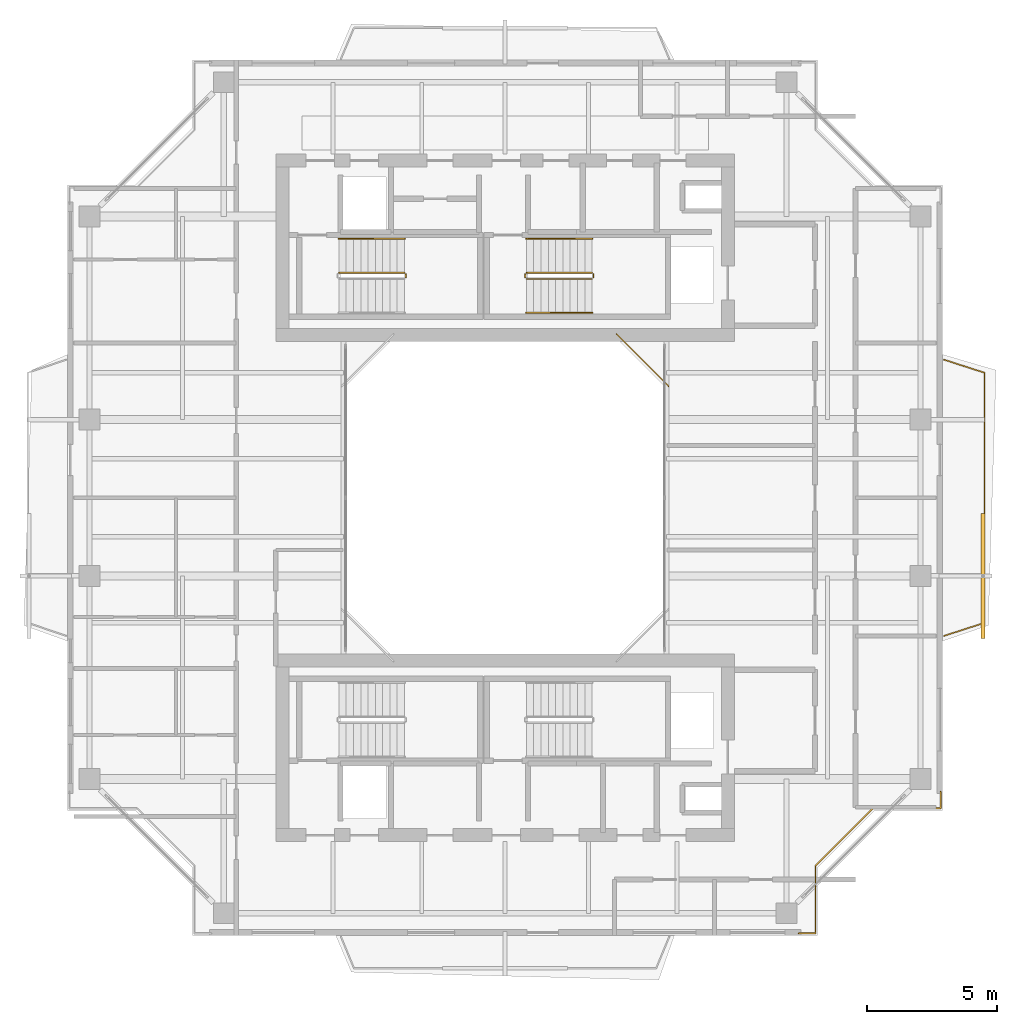
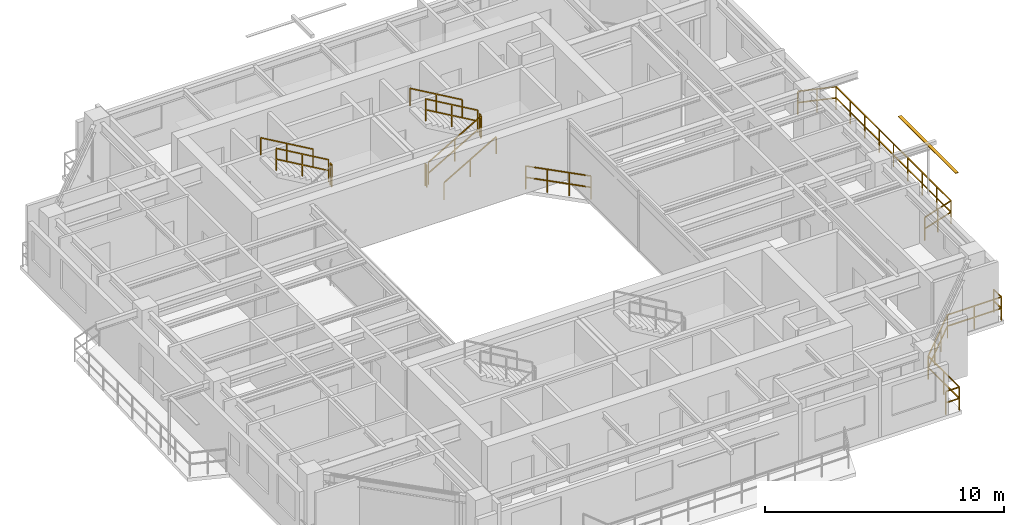
# One storey, part 15 of 16: 12 railings, 1 shading device.
"""IFC4 building model written with IfcOpenShell, lengths in metres."""

from ifc_helpers import new_model, si_unit, direction, frame, origin, origin_2d, place, context, subcontext, project, spatial, rectangle, extrude, source, transform, mapped, material, material_profile, profile_set, type_object, element, save


model = new_model("IFC4")

# Units and contexts
model_context = context("Model", 3, precision=1e-05, world=origin(), true_north=direction((0.0, 1.0)))
body_context = subcontext(model_context, "Body", "Model", "MODEL_VIEW")
ifc_project = project(units=[si_unit("LENGTHUNIT", "METRE"), si_unit("AREAUNIT", "SQUARE_METRE"), si_unit("VOLUMEUNIT", "CUBIC_METRE"), si_unit("PLANEANGLEUNIT", "RADIAN"), si_unit("MASSUNIT", "GRAM", prefix="KILO"), si_unit("THERMODYNAMICTEMPERATUREUNIT", "KELVIN"), si_unit("POWERUNIT", "WATT")], contexts=[model_context])

# Site, building, storey
site_placement = place(None, origin())
site = spatial("IfcSite", under=ifc_project, at=site_placement, CompositionType="ELEMENT")
building_placement = place(site_placement, origin())
building = spatial("IfcBuilding", under=site, at=building_placement, Name="Qiaomeng Ring Towers", CompositionType="ELEMENT")
storey_placement = place(building_placement, frame((0.0, 0.0, 210.0)))
storey = spatial("IfcBuildingStorey", under=building, at=storey_placement, Name="L61", CompositionType="ELEMENT", Elevation=210.0)

# Railings
ifc_material_1 = material(Name="Low-E pale-green laminated safety glass", Category="glass")
railing_type_1 = type_object("IfcRailingType", Name="ARC-RL-BAL1", PredefinedType="BALUSTRADE", material=ifc_material_1)
railing_1_placement = place(storey_placement, frame((25.280029296875, 27.280029296875, 0.0)))
element("IfcRailing", 1, at=railing_1_placement, inside=storey, type_object=railing_type_1, Name="L61 Balustrade ARC-BAL-WELL1-L61-2", PredefinedType="BALUSTRADE", context=body_context, shape_type="SweptSolid", body=[
    extrude(rectangle(XDim=0.048095703125, YDim=0.048095703125, at=origin_2d()), frame((0.0, 0.0, 1.17578125), z_axis=(-0.707106781187, 0.707106781187, 0.0), x_axis=(-0.707106781187, -0.707106781187, 0.0)), (0.0, 0.0, 1.0), 2.828369140625),
    extrude(rectangle(XDim=0.048095703125, YDim=0.048095703125, at=origin_2d()), frame((0.0, 0.0, 0.60009765625), z_axis=(-0.707106781187, 0.707106781187, 0.0), x_axis=(-0.707106781187, -0.707106781187, 0.0)), (0.0, 0.0, 1.0), 2.828369140625),
    extrude(rectangle(XDim=0.0419921875, YDim=0.0419921875, at=origin_2d()), origin(), (0.0, 0.0, 1.0), 1.15185546875),
    extrude(rectangle(XDim=0.0419921875, YDim=0.0419921875, at=origin_2d()), frame((-0.666748046875, 0.666748046875, 0.0)), (0.0, 0.0, 1.0), 1.15185546875),
    extrude(rectangle(XDim=0.0419921875, YDim=0.0419921875, at=origin_2d()), frame((-1.333251953125, 1.333251953125, 0.0)), (0.0, 0.0, 1.0), 1.15185546875),
    extrude(rectangle(XDim=0.0419921875, YDim=0.0419921875, at=origin_2d()), frame((-2.0, 2.0, 0.0)), (0.0, 0.0, 1.0), 1.15185546875),
])
railing_2_placement = place(storey_placement, frame((30.27001953125, 6.280029296875, 0.0)))
element("IfcRailing", 2, at=railing_2_placement, inside=storey, type_object=railing_type_1, Name="L61 Balustrade ARC-BAL-NOTCH1-L61-SE", PredefinedType="BALUSTRADE", context=body_context, shape_type="SweptSolid", body=[
    extrude(rectangle(XDim=0.048095703125, YDim=0.048095703125, at=origin_2d()), frame((0.0, 0.0, 1.17578125), z_axis=(1.0, 0.0, 0.0), x_axis=(0.0, 1.0, 0.0)), (0.0, 0.0, 1.0), 0.64990234375),
    extrude(rectangle(XDim=0.048095703125, YDim=0.048095703125, at=origin_2d()), frame((0.0, 0.0, 0.60009765625), z_axis=(1.0, 0.0, 0.0), x_axis=(0.0, 1.0, 0.0)), (0.0, 0.0, 1.0), 0.64990234375),
    extrude(rectangle(XDim=0.048095703125, YDim=0.048095703125, at=origin_2d()), frame((0.64990234375, 0.0, 1.17578125), z_axis=(0.0, 1.0, 0.0), x_axis=(-1.0, 0.0, 0.0)), (0.0, 0.0, 1.0), 2.599853515625),
    extrude(rectangle(XDim=0.048095703125, YDim=0.048095703125, at=origin_2d()), frame((0.64990234375, 0.0, 0.60009765625), z_axis=(0.0, 1.0, 0.0), x_axis=(-1.0, 0.0, 0.0)), (0.0, 0.0, 1.0), 2.599853515625),
    extrude(rectangle(XDim=0.048095703125, YDim=0.048095703125, at=origin_2d()), frame((0.64990234375, 2.599853515625, 1.17578125), z_axis=(0.707106781187, 0.707106781187, 0.0), x_axis=(-0.707106781187, 0.707106781187, 0.0)), (0.0, 0.0, 1.0), 3.111572265625),
    extrude(rectangle(XDim=0.048095703125, YDim=0.048095703125, at=origin_2d()), frame((0.64990234375, 2.599853515625, 0.60009765625), z_axis=(0.707106781187, 0.707106781187, 0.0), x_axis=(-0.707106781187, 0.707106781187, 0.0)), (0.0, 0.0, 1.0), 3.111572265625),
    extrude(rectangle(XDim=0.048095703125, YDim=0.048095703125, at=origin_2d()), frame((2.85009765625, 4.800048828125, 1.17578125), z_axis=(1.0, 0.0, 0.0), x_axis=(0.0, 1.0, 0.0)), (0.0, 0.0, 1.0), 2.599853515625),
    extrude(rectangle(XDim=0.048095703125, YDim=0.048095703125, at=origin_2d()), frame((2.85009765625, 4.800048828125, 0.60009765625), z_axis=(1.0, 0.0, 0.0), x_axis=(0.0, 1.0, 0.0)), (0.0, 0.0, 1.0), 2.599853515625),
    extrude(rectangle(XDim=0.048095703125, YDim=0.048095703125, at=origin_2d()), frame((5.449951171875, 4.800048828125, 1.17578125), z_axis=(0.0, 1.0, 0.0), x_axis=(-1.0, 0.0, 0.0)), (0.0, 0.0, 1.0), 0.64990234375),
    extrude(rectangle(XDim=0.048095703125, YDim=0.048095703125, at=origin_2d()), frame((5.449951171875, 4.800048828125, 0.60009765625), z_axis=(0.0, 1.0, 0.0), x_axis=(-1.0, 0.0, 0.0)), (0.0, 0.0, 1.0), 0.64990234375),
    extrude(rectangle(XDim=0.0419921875, YDim=0.0419921875, at=origin_2d()), origin(), (0.0, 0.0, 1.0), 1.15185546875),
    extrude(rectangle(XDim=0.0419921875, YDim=0.0419921875, at=origin_2d()), frame((0.64990234375, 0.0, 0.0)), (0.0, 0.0, 1.0), 1.15185546875),
    extrude(rectangle(XDim=0.0419921875, YDim=0.0419921875, at=origin_2d()), frame((0.64990234375, 1.2998046875, 0.0)), (0.0, 0.0, 1.0), 1.15185546875),
    extrude(rectangle(XDim=0.0419921875, YDim=0.0419921875, at=origin_2d()), frame((0.64990234375, 2.599853515625, 0.0)), (0.0, 0.0, 1.0), 1.15185546875),
    extrude(rectangle(XDim=0.0419921875, YDim=0.0419921875, at=origin_2d()), frame((1.38330078125, 3.333251953125, 0.0)), (0.0, 0.0, 1.0), 1.15185546875),
    extrude(rectangle(XDim=0.0419921875, YDim=0.0419921875, at=origin_2d()), frame((2.11669921875, 4.066650390625, 0.0)), (0.0, 0.0, 1.0), 1.15185546875),
    extrude(rectangle(XDim=0.0419921875, YDim=0.0419921875, at=origin_2d()), frame((2.85009765625, 4.800048828125, 0.0)), (0.0, 0.0, 1.0), 1.15185546875),
    extrude(rectangle(XDim=0.0419921875, YDim=0.0419921875, at=origin_2d()), frame((4.14990234375, 4.800048828125, 0.0)), (0.0, 0.0, 1.0), 1.15185546875),
    extrude(rectangle(XDim=0.0419921875, YDim=0.0419921875, at=origin_2d()), frame((5.449951171875, 4.800048828125, 0.0)), (0.0, 0.0, 1.0), 1.15185546875),
    extrude(rectangle(XDim=0.0419921875, YDim=0.0419921875, at=origin_2d()), frame((5.449951171875, 5.449951171875, 0.0)), (0.0, 0.0, 1.0), 1.15185546875),
])
railing_3_placement = place(storey_placement, frame((35.85009765625, 17.699951171875, 0.0)))
element("IfcRailing", 3, at=railing_3_placement, inside=storey, type_object=railing_type_1, Name="L61 Balustrade ARC-BAL-L61-T1-E", PredefinedType="BALUSTRADE", context=body_context, shape_type="SweptSolid", body=[
    extrude(rectangle(XDim=0.048095703125, YDim=0.048095703125, at=origin_2d()), frame((0.0, 0.0, 1.17578125), z_axis=(0.951697313001, 0.307037822468, 0.0), x_axis=(-0.307037822468, 0.951697313001, 0.0)), (0.0, 0.0, 1.0), 1.62841796875),
    extrude(rectangle(XDim=0.048095703125, YDim=0.048095703125, at=origin_2d()), frame((0.0, 0.0, 0.60009765625), z_axis=(0.951697313001, 0.307037822468, 0.0), x_axis=(-0.307037822468, 0.951697313001, 0.0)), (0.0, 0.0, 1.0), 1.62841796875),
    extrude(rectangle(XDim=0.048095703125, YDim=0.048095703125, at=origin_2d()), frame((1.5498046875, 0.5, 1.17578125), z_axis=(0.0, 1.0, 0.0), x_axis=(-1.0, 0.0, 0.0)), (0.0, 0.0, 1.0), 9.60009765625),
    extrude(rectangle(XDim=0.048095703125, YDim=0.048095703125, at=origin_2d()), frame((1.5498046875, 0.5, 0.60009765625), z_axis=(0.0, 1.0, 0.0), x_axis=(-1.0, 0.0, 0.0)), (0.0, 0.0, 1.0), 9.60009765625),
    extrude(rectangle(XDim=0.048095703125, YDim=0.048095703125, at=origin_2d()), frame((1.5498046875, 10.10009765625, 1.17578125), z_axis=(-0.951697313001, 0.307037822468, 0.0), x_axis=(-0.307037822468, -0.951697313001, 0.0)), (0.0, 0.0, 1.0), 1.62841796875),
    extrude(rectangle(XDim=0.048095703125, YDim=0.048095703125, at=origin_2d()), frame((1.5498046875, 10.10009765625, 0.60009765625), z_axis=(-0.951697313001, 0.307037822468, 0.0), x_axis=(-0.307037822468, -0.951697313001, 0.0)), (0.0, 0.0, 1.0), 1.62841796875),
    extrude(rectangle(XDim=0.0419921875, YDim=0.0419921875, at=origin_2d()), origin(), (0.0, 0.0, 1.0), 1.15185546875),
    extrude(rectangle(XDim=0.0419921875, YDim=0.0419921875, at=origin_2d()), frame((0.77490234375, 0.25, 0.0)), (0.0, 0.0, 1.0), 1.15185546875),
    extrude(rectangle(XDim=0.0419921875, YDim=0.0419921875, at=origin_2d()), frame((1.5498046875, 0.5, 0.0)), (0.0, 0.0, 1.0), 1.15185546875),
    extrude(rectangle(XDim=0.0419921875, YDim=0.0419921875, at=origin_2d()), frame((1.5498046875, 1.699951171875, 0.0)), (0.0, 0.0, 1.0), 1.15185546875),
    extrude(rectangle(XDim=0.0419921875, YDim=0.0419921875, at=origin_2d()), frame((1.5498046875, 2.89990234375, 0.0)), (0.0, 0.0, 1.0), 1.15185546875),
    extrude(rectangle(XDim=0.0419921875, YDim=0.0419921875, at=origin_2d()), frame((1.5498046875, 4.10009765625, 0.0)), (0.0, 0.0, 1.0), 1.15185546875),
    extrude(rectangle(XDim=0.0419921875, YDim=0.0419921875, at=origin_2d()), frame((1.5498046875, 5.300048828125, 0.0)), (0.0, 0.0, 1.0), 1.15185546875),
    extrude(rectangle(XDim=0.0419921875, YDim=0.0419921875, at=origin_2d()), frame((1.5498046875, 6.5, 0.0)), (0.0, 0.0, 1.0), 1.15185546875),
    extrude(rectangle(XDim=0.0419921875, YDim=0.0419921875, at=origin_2d()), frame((1.5498046875, 7.7001953125, 0.0)), (0.0, 0.0, 1.0), 1.15185546875),
    extrude(rectangle(XDim=0.0419921875, YDim=0.0419921875, at=origin_2d()), frame((1.5498046875, 8.900146484375, 0.0)), (0.0, 0.0, 1.0), 1.15185546875),
    extrude(rectangle(XDim=0.0419921875, YDim=0.0419921875, at=origin_2d()), frame((1.5498046875, 10.10009765625, 0.0)), (0.0, 0.0, 1.0), 1.15185546875),
    extrude(rectangle(XDim=0.0419921875, YDim=0.0419921875, at=origin_2d()), frame((0.77490234375, 10.35009765625, 0.0)), (0.0, 0.0, 1.0), 1.15185546875),
    extrude(rectangle(XDim=0.0419921875, YDim=0.0419921875, at=origin_2d()), frame((0.0, 10.60009765625, 0.0)), (0.0, 0.0, 1.0), 1.15185546875),
])
ifc_material_2 = material(Name="Galvanised steel", Category="steel")
railing_type_2 = type_object("IfcRailingType", Name="ARC-RL-GUARD", PredefinedType="GUARDRAIL", material=ifc_material_2)
railing_4_placement = place(storey_placement, frame((15.18994140625, 31.449951171875, 1.625)))
element("IfcRailing", 4, at=railing_4_placement, inside=storey, type_object=railing_type_2, Name="L61 ST1 stair guard 2", PredefinedType="GUARDRAIL", context=body_context, shape_type="SweptSolid", body=[
    extrude(rectangle(XDim=0.048095703125, YDim=0.048095703125, at=origin_2d()), frame((0.0, 0.0, 1.1259765625), z_axis=(0.0, 1.0, 0.0), x_axis=(-1.0, 0.0, 0.0)), (0.0, 0.0, 1.0), 0.14013671875),
    extrude(rectangle(XDim=0.048095703125, YDim=0.048095703125, at=origin_2d()), frame((0.0, 0.0, 0.574951171875), z_axis=(0.0, 1.0, 0.0), x_axis=(-1.0, 0.0, 0.0)), (0.0, 0.0, 1.0), 0.14013671875),
    extrude(rectangle(XDim=0.0419921875, YDim=0.0419921875, at=origin_2d()), origin(), (0.0, 0.0, 1.0), 1.101806640625),
    extrude(rectangle(XDim=0.0419921875, YDim=0.0419921875, at=origin_2d()), frame((0.0, 0.14013671875, 0.0)), (0.0, 0.0, 1.0), 1.101806640625),
])
railing_5_placement = place(storey_placement, frame((15.139892578125, 31.639892578125, 1.78759765625)))
element("IfcRailing", 5, at=railing_5_placement, inside=storey, type_object=railing_type_2, Name="L61 ST1 stair guard 3", PredefinedType="GUARDRAIL", context=body_context, shape_type="SweptSolid", body=[
    extrude(rectangle(XDim=0.048095703125, YDim=0.048095703125, at=origin_2d()), frame((0.0, 0.0, 1.1259765625), z_axis=(-0.864892226395, 0.0, 0.501957604506), x_axis=(0.0, -1.0, 0.0)), (0.0, 0.0, 1.0), 2.913330078125),
    extrude(rectangle(XDim=0.048095703125, YDim=0.048095703125, at=origin_2d()), frame((0.0, 0.0, 0.574951171875), z_axis=(-0.864892226395, 0.0, 0.501957604506), x_axis=(0.0, -1.0, 0.0)), (0.0, 0.0, 1.0), 2.913330078125),
    extrude(rectangle(XDim=0.0419921875, YDim=0.0419921875, at=origin_2d()), origin(), (0.0, 0.0, 1.0), 1.101806640625),
    extrude(rectangle(XDim=0.0419921875, YDim=0.0419921875, at=origin_2d()), frame((-1.259765625, 0.0, 0.731201171875)), (0.0, 0.0, 1.0), 1.101806640625),
    extrude(rectangle(XDim=0.0419921875, YDim=0.0419921875, at=origin_2d()), frame((-2.519775390625, 0.0, 1.46240234375)), (0.0, 0.0, 1.0), 1.101806640625),
])
railing_6_placement = place(storey_placement, frame((19.820068359375, 31.39990234375, 0.16259765625)))
element("IfcRailing", 6, at=railing_6_placement, inside=storey, type_object=railing_type_2, Name="L61 ST2 stair guard 1", PredefinedType="GUARDRAIL", context=body_context, shape_type="SweptSolid", body=[
    extrude(rectangle(XDim=0.048095703125, YDim=0.048095703125, at=origin_2d()), frame((0.0, 0.0, 1.1259765625), z_axis=(0.864913338283, 0.0, 0.50192122615), x_axis=(0.0, 1.0, 0.0)), (0.0, 0.0, 1.0), 2.91357421875),
    extrude(rectangle(XDim=0.048095703125, YDim=0.048095703125, at=origin_2d()), frame((0.0, 0.0, 0.574951171875), z_axis=(0.864913338283, 0.0, 0.50192122615), x_axis=(0.0, 1.0, 0.0)), (0.0, 0.0, 1.0), 2.91357421875),
    extrude(rectangle(XDim=0.0419921875, YDim=0.0419921875, at=origin_2d()), origin(), (0.0, 0.0, 1.0), 1.101806640625),
    extrude(rectangle(XDim=0.0419921875, YDim=0.0419921875, at=origin_2d()), frame((1.260009765625, 0.0, 0.731201171875)), (0.0, 0.0, 1.0), 1.101806640625),
    extrude(rectangle(XDim=0.0419921875, YDim=0.0419921875, at=origin_2d()), frame((2.52001953125, 0.0, 1.46240234375)), (0.0, 0.0, 1.0), 1.101806640625),
])
railing_7_placement = place(storey_placement, frame((22.389892578125, 31.449951171875, 1.625)))
element("IfcRailing", 7, at=railing_7_placement, inside=storey, type_object=railing_type_2, Name="L61 ST2 stair guard 2", PredefinedType="GUARDRAIL", context=body_context, shape_type="SweptSolid", body=[
    extrude(rectangle(XDim=0.048095703125, YDim=0.048095703125, at=origin_2d()), frame((0.0, 0.0, 1.1259765625), z_axis=(0.0, 1.0, 0.0), x_axis=(-1.0, 0.0, 0.0)), (0.0, 0.0, 1.0), 0.14013671875),
    extrude(rectangle(XDim=0.048095703125, YDim=0.048095703125, at=origin_2d()), frame((0.0, 0.0, 0.574951171875), z_axis=(0.0, 1.0, 0.0), x_axis=(-1.0, 0.0, 0.0)), (0.0, 0.0, 1.0), 0.14013671875),
    extrude(rectangle(XDim=0.0419921875, YDim=0.0419921875, at=origin_2d()), origin(), (0.0, 0.0, 1.0), 1.101806640625),
    extrude(rectangle(XDim=0.0419921875, YDim=0.0419921875, at=origin_2d()), frame((0.0, 0.14013671875, 0.0)), (0.0, 0.0, 1.0), 1.101806640625),
])
railing_8_placement = place(storey_placement, frame((22.340087890625, 31.639892578125, 1.78759765625)))
element("IfcRailing", 8, at=railing_8_placement, inside=storey, type_object=railing_type_2, Name="L61 ST2 stair guard 3", PredefinedType="GUARDRAIL", context=body_context, shape_type="SweptSolid", body=[
    extrude(rectangle(XDim=0.048095703125, YDim=0.048095703125, at=origin_2d()), frame((0.0, 0.0, 1.1259765625), z_axis=(-0.864913338283, 0.0, 0.50192122615), x_axis=(0.0, -1.0, 0.0)), (0.0, 0.0, 1.0), 2.91357421875),
    extrude(rectangle(XDim=0.048095703125, YDim=0.048095703125, at=origin_2d()), frame((0.0, 0.0, 0.574951171875), z_axis=(-0.864913338283, 0.0, 0.50192122615), x_axis=(0.0, -1.0, 0.0)), (0.0, 0.0, 1.0), 2.91357421875),
    extrude(rectangle(XDim=0.0419921875, YDim=0.0419921875, at=origin_2d()), origin(), (0.0, 0.0, 1.0), 1.101806640625),
    extrude(rectangle(XDim=0.0419921875, YDim=0.0419921875, at=origin_2d()), frame((-1.260009765625, 0.0, 0.731201171875)), (0.0, 0.0, 1.0), 1.101806640625),
    extrude(rectangle(XDim=0.0419921875, YDim=0.0419921875, at=origin_2d()), frame((-2.52001953125, 0.0, 1.46240234375)), (0.0, 0.0, 1.0), 1.101806640625),
])
railing_9_placement = place(storey_placement, frame((19.77001953125, 31.449951171875, 0.0)))
element("IfcRailing", 9, at=railing_9_placement, inside=storey, type_object=railing_type_2, Name="L61 ST2 stair guard 4", PredefinedType="GUARDRAIL", context=body_context, shape_type="SweptSolid", body=[
    extrude(rectangle(XDim=0.048095703125, YDim=0.048095703125, at=origin_2d()), frame((0.0, 0.0, 1.1259765625), z_axis=(0.0, 1.0, 0.0), x_axis=(-1.0, 0.0, 0.0)), (0.0, 0.0, 1.0), 0.14013671875),
    extrude(rectangle(XDim=0.048095703125, YDim=0.048095703125, at=origin_2d()), frame((0.0, 0.0, 0.574951171875), z_axis=(0.0, 1.0, 0.0), x_axis=(-1.0, 0.0, 0.0)), (0.0, 0.0, 1.0), 0.14013671875),
    extrude(rectangle(XDim=0.0419921875, YDim=0.0419921875, at=origin_2d()), origin(), (0.0, 0.0, 1.0), 1.101806640625),
    extrude(rectangle(XDim=0.0419921875, YDim=0.0419921875, at=origin_2d()), frame((0.0, 0.14013671875, 0.0)), (0.0, 0.0, 1.0), 1.101806640625),
])
ifc_material_3 = material(Name="Stainless steel 316", Category="steel")
railing_type_3 = type_object("IfcRailingType", Name="ARC-RL-HAND", PredefinedType="HANDRAIL", material=ifc_material_3)
railing_10_placement = place(storey_placement, frame((15.139892578125, 32.93994140625, 1.78759765625)))
element("IfcRailing", 10, at=railing_10_placement, inside=storey, type_object=railing_type_3, Name="L61 ST1 stair handrail 2", PredefinedType="HANDRAIL", context=body_context, shape_type="SweptSolid", body=[
    extrude(rectangle(XDim=0.048095703125, YDim=0.048095703125, at=origin_2d()), frame((0.0, 0.0, 0.8759765625), z_axis=(-0.864892226395, 0.0, 0.501957604506), x_axis=(0.0, -1.0, 0.0)), (0.0, 0.0, 1.0), 2.913330078125),
    extrude(rectangle(XDim=0.0419921875, YDim=0.0419921875, at=origin_2d()), origin(), (0.0, 0.0, 1.0), 0.851806640625),
    extrude(rectangle(XDim=0.0419921875, YDim=0.0419921875, at=origin_2d()), frame((-1.259765625, 0.0, 0.731201171875)), (0.0, 0.0, 1.0), 0.851806640625),
    extrude(rectangle(XDim=0.0419921875, YDim=0.0419921875, at=origin_2d()), frame((-2.519775390625, 0.0, 1.46240234375)), (0.0, 0.0, 1.0), 0.851806640625),
])
railing_11_placement = place(storey_placement, frame((19.820068359375, 30.10009765625, 0.16259765625)))
element("IfcRailing", 11, at=railing_11_placement, inside=storey, type_object=railing_type_3, Name="L61 ST2 stair handrail 1", PredefinedType="HANDRAIL", context=body_context, shape_type="SweptSolid", body=[
    extrude(rectangle(XDim=0.048095703125, YDim=0.048095703125, at=origin_2d()), frame((0.0, 0.0, 0.8759765625), z_axis=(0.864913338283, 0.0, 0.50192122615), x_axis=(0.0, 1.0, 0.0)), (0.0, 0.0, 1.0), 2.91357421875),
    extrude(rectangle(XDim=0.0419921875, YDim=0.0419921875, at=origin_2d()), origin(), (0.0, 0.0, 1.0), 0.851806640625),
    extrude(rectangle(XDim=0.0419921875, YDim=0.0419921875, at=origin_2d()), frame((1.260009765625, 0.0, 0.731201171875)), (0.0, 0.0, 1.0), 0.851806640625),
    extrude(rectangle(XDim=0.0419921875, YDim=0.0419921875, at=origin_2d()), frame((2.52001953125, 0.0, 1.46240234375)), (0.0, 0.0, 1.0), 0.851806640625),
])
railing_12_placement = place(storey_placement, frame((22.340087890625, 32.93994140625, 1.78759765625)))
element("IfcRailing", 12, at=railing_12_placement, inside=storey, type_object=railing_type_3, Name="L61 ST2 stair handrail 2", PredefinedType="HANDRAIL", context=body_context, shape_type="SweptSolid", body=[
    extrude(rectangle(XDim=0.048095703125, YDim=0.048095703125, at=origin_2d()), frame((0.0, 0.0, 0.8759765625), z_axis=(-0.864913338283, 0.0, 0.50192122615), x_axis=(0.0, -1.0, 0.0)), (0.0, 0.0, 1.0), 2.91357421875),
    extrude(rectangle(XDim=0.0419921875, YDim=0.0419921875, at=origin_2d()), origin(), (0.0, 0.0, 1.0), 0.851806640625),
    extrude(rectangle(XDim=0.0419921875, YDim=0.0419921875, at=origin_2d()), frame((-1.260009765625, 0.0, 0.731201171875)), (0.0, 0.0, 1.0), 0.851806640625),
    extrude(rectangle(XDim=0.0419921875, YDim=0.0419921875, at=origin_2d()), frame((-2.52001953125, 0.0, 1.46240234375)), (0.0, 0.0, 1.0), 0.851806640625),
])

# Shading device
ifc_material_4 = material(Name="Fluorocarbon dark-grey aluminium", Category="aluminium")
ifc_material_profile = material_profile(ifc_material_4, rectangle(XDim=0.14990234375, YDim=0.034912109375, at=origin_2d()), Name="LV BLADE 150x35")
ifc_profile_set = profile_set([ifc_material_profile], Name="Fluorocarbon dark-grey aluminium")
shading_device_type = type_object("IfcShadingDeviceType", Name="ARC-SHD-SUN", PredefinedType="AWNING", material=ifc_profile_set)
shared_shape = source(origin(), body_context, "Body", "SweptSolid", [
    extrude(rectangle(XDim=0.14990234375, YDim=0.034912109375, at=origin_2d()), origin(), (0.0, 0.0, 1.0), 4.7998046875),
])
shading_device_placement = place(storey_placement, frame((37.35009765625, 17.60009765625, 2.969970703125), z_axis=(0.0, 1.0, 0.0), x_axis=(-1.0, 0.0, 0.0)))
element("IfcShadingDevice", 13, at=shading_device_placement, inside=storey, type_object=shading_device_type, Name="L61 Ventilated Outer-Skin Sunshade E", PredefinedType="AWNING", context=body_context, shape_type="MappedRepresentation", body=[
    mapped(shared_shape, transform((0.0, 0.0, 0.0), x_axis=(1.0, 0.0, 0.0), y_axis=(0.0, 1.0, 0.0), z_axis=(0.0, 0.0, 1.0), scale=1.0)),
])

save(model, "model.ifc")
